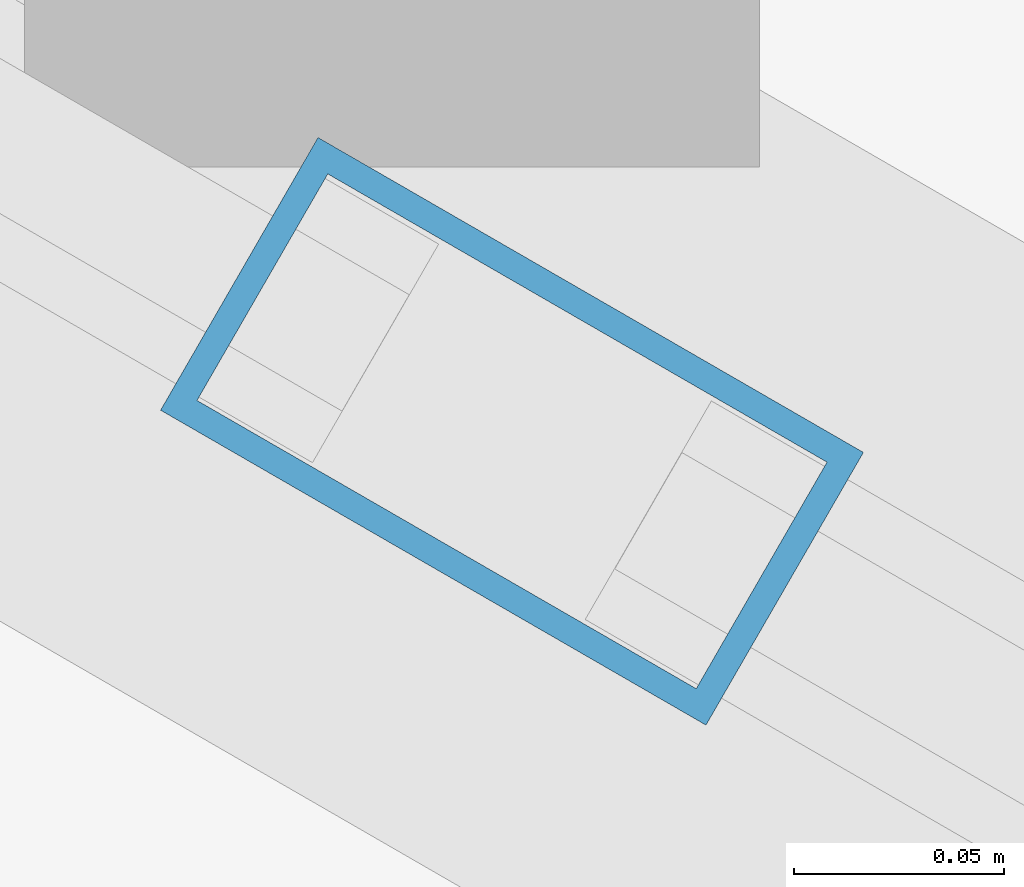
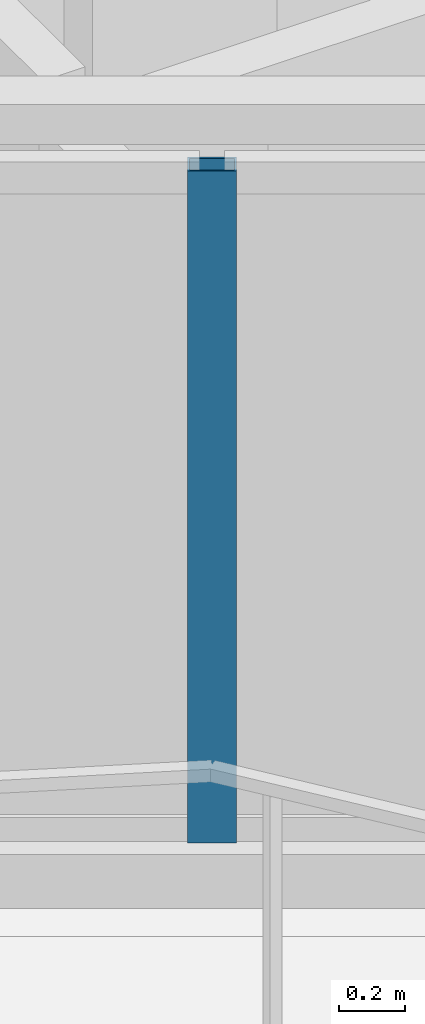
# One storey, part 2 of 18: 1 member, 1 element without a shape of its own.
"""IFC4 building model written with IfcOpenShell, lengths in metres."""

from ifc_helpers import new_model, si_unit, direction, frame, origin, origin_2d, place, context, subcontext, project, spatial, hollow_rectangle, extrude, material, layer, layer_set, material_profile, profile_set, type_object, element, aggregate, save


model = new_model("IFC4")

# Units and contexts
model_context = context("Model", 3, precision=1e-05, world=origin(), true_north=direction((0.0, 1.0)))
body_context = subcontext(model_context, "Body", "Model", "MODEL_VIEW")
ifc_project = project(units=[si_unit("LENGTHUNIT", "METRE"), si_unit("AREAUNIT", "SQUARE_METRE"), si_unit("VOLUMEUNIT", "CUBIC_METRE"), si_unit("PLANEANGLEUNIT", "RADIAN"), si_unit("MASSUNIT", "GRAM", prefix="KILO")], contexts=[model_context])

# Site, building, storey
site_placement = place(None, origin())
site = spatial("IfcSite", under=ifc_project, at=site_placement, CompositionType="ELEMENT")
building_placement = place(site_placement, origin())
building = spatial("IfcBuilding", under=site, at=building_placement, Name="Mersakhor Tower and Convention Hall", CompositionType="ELEMENT")
storey_placement = place(building_placement, frame((0.0, 0.0, 233.10009765625)))
storey = spatial("IfcBuildingStorey", under=building, at=storey_placement, Name="L65", CompositionType="ELEMENT", Elevation=233.10009765625)

# Curtain wall, member
ifc_material_1 = material(Name="Dark solar low-E aluminium curtain wall", Category="aluminium")
ifc_layer = layer(ifc_material_1, 0.179931640625)
ifc_layer_set = layer_set([ifc_layer], Name="Dark solar low-E aluminium curtain wall")
curtain_wall_type = type_object("IfcCurtainWallType", Name="CW-SYS-03", PredefinedType="USERDEFINED", material=ifc_layer_set)
curtain_wall_placement = place(storey_placement, origin())
curtain_wall = element("IfcCurtainWall", 1, at=curtain_wall_placement, inside=storey, type_object=curtain_wall_type, Name="L65 Dark-Glass Curtain Wall F3-B2", ObjectType="CURTAIN WALL", PredefinedType="USERDEFINED")
ifc_material_2 = material(Name="Anodised aluminium EN AW-6063 T6", Category="aluminium")
ifc_material_profile = material_profile(ifc_material_2, hollow_rectangle(XDim=0.074951171875, YDim=0.14990234375, WallThickness=0.00634765625, at=origin_2d()), Name="RHS 150x75x6.3")
ifc_profile_set = profile_set([ifc_material_profile], Name="Anodised aluminium EN AW-6063 T6")
member_type = type_object("IfcMemberType", Name="CWM-150x75", PredefinedType="MULLION", material=ifc_profile_set)
member_placement = place(storey_placement, frame((23.628662109375, 17.446533203125, 0.199951171875), z_axis=(0.0, 0.0, 1.0), x_axis=(-0.500004411169, -0.86602285698, 0.0)))
member = element("IfcMember", 2, at=member_placement, type_object=member_type, Name="CW-03 mullion 2", PredefinedType="MULLION", context=body_context, shape_type="SweptSolid", body=[
    extrude(hollow_rectangle(XDim=0.074951171875, YDim=0.14990234375, WallThickness=0.00634765625, at=origin_2d()), origin(), (0.0, 0.0, 1.0), 2.5),
])
aggregate(curtain_wall, [member])

save(model, "model.ifc")
